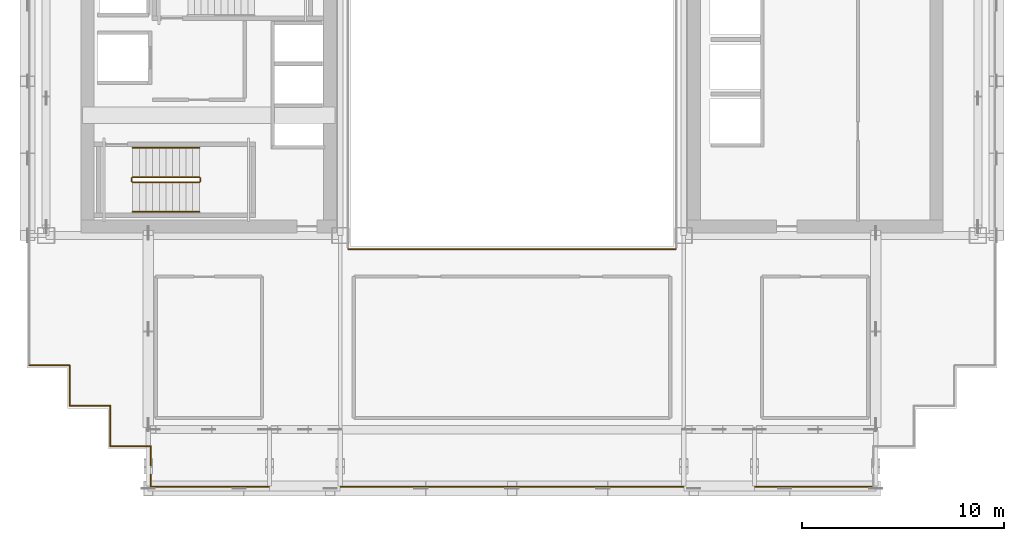
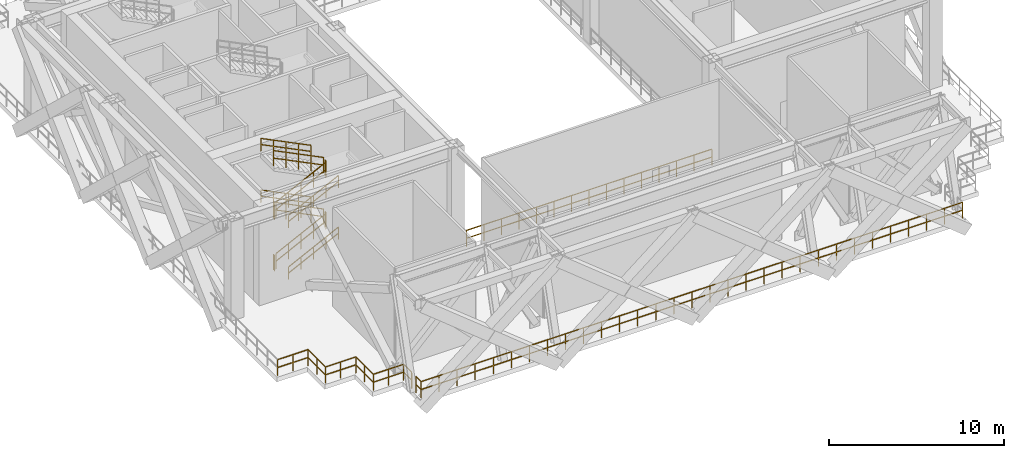
# One storey, part 10 of 14: 21 railings.
"""IFC4 building model written with IfcOpenShell, lengths in metres."""

import ifcopenshell
import ifcopenshell.guid

model = None  # the IFC model being written
_history = None  # IfcOwnerHistory: only IFC2X3 demands one
_inside = {}  # id of a spatial element -> (the spatial element, [elements in it])
_under = {}  # id of a project, library or spatial element -> (it, [spatial elements below it])
_declared = {}  # id of a project -> (the project, [libraries it declares])
_typed = {}  # id of a type object -> (the type object, [elements of that type])
_made_of = {}  # id of a material, layer set ... -> (it, [elements and type objects made of it])


def new_model(schema):
    """Start an empty IFC model of exactly this schema.

    Asked for "IFC4X3", IfcOpenShell would pick the latest addendum, in which some entities
    have other attributes; the version numbers below select the first issue.
    IFC2X3 requires an IfcOwnerHistory on every rooted entity: one is made here for all.
    """
    global model, _history
    if schema == "IFC4X3":
        model = ifcopenshell.file(schema_version=(4, 3, 0, 0))
    else:
        model = ifcopenshell.file(schema=schema)
    _inside.clear()
    _under.clear()
    _declared.clear()
    _typed.clear()
    _made_of.clear()
    _history = None
    if model.schema == "IFC2X3":
        org = make("IfcOrganization", Name="unknown")
        user = make(
            "IfcPersonAndOrganization",
            ThePerson=make("IfcPerson", FamilyName="unknown"),
            TheOrganization=org,
        )
        app = make(
            "IfcApplication",
            ApplicationDeveloper=org,
            Version="unknown",
            ApplicationFullName="unknown",
            ApplicationIdentifier="unknown",
        )
        _history = make(
            "IfcOwnerHistory",
            OwningUser=user,
            OwningApplication=app,
            ChangeAction="ADDED",
            CreationDate=0,
        )
    return model


def make(cls, **values):
    """One entity of the class cls with the attributes given. An attribute that is None is left unset."""
    return model.create_entity(
        cls, **{name: value for name, value in values.items() if value is not None}
    )


def rooted(cls, **values):
    """An entity with a GlobalId (a new one), such as an element, a storey or a relation."""
    return make(cls, GlobalId=ifcopenshell.guid.new(), OwnerHistory=_history, **values)


def si_unit(unit_type, name, prefix=None):
    """IfcSIUnit, for example si_unit("LENGTHUNIT", "METRE", prefix="MILLI")."""
    return make("IfcSIUnit", UnitType=unit_type, Prefix=prefix, Name=name)


def assignment(units):
    """IfcUnitAssignment: the units of a project."""
    return None if units is None else make("IfcUnitAssignment", Units=units)


def point(xyz):
    """IfcCartesianPoint."""
    return None if xyz is None else make("IfcCartesianPoint", Coordinates=xyz)


def direction(xyz):
    """IfcDirection."""
    return None if xyz is None else make("IfcDirection", DirectionRatios=xyz)


def frame(location, z_axis=None, x_axis=None):
    """IfcAxis2Placement3D, a coordinate frame: its origin and axes. An axis left out is left unset."""
    return make(
        "IfcAxis2Placement3D",
        Location=point(location),
        Axis=direction(z_axis),
        RefDirection=direction(x_axis),
    )


def frame_2d(location, x_axis=None):
    """IfcAxis2Placement2D, a coordinate frame in the plane: its origin and x axis."""
    return make(
        "IfcAxis2Placement2D", Location=point(location), RefDirection=direction(x_axis)
    )


def origin():
    """The frame at (0, 0, 0) with its axes left unset."""
    return frame((0.0, 0.0, 0.0))


def origin_2d():
    """The frame at (0, 0) in the plane with its x axis left unset."""
    return frame_2d((0.0, 0.0))


def place(relative_to, where):
    """IfcLocalPlacement: puts the frame where relative to a parent placement (None: the world)."""
    return make(
        "IfcLocalPlacement", PlacementRelTo=relative_to, RelativePlacement=where
    )


def context(
    kind, dimensions, precision=None, world=None, true_north=None, identifier=None
):
    """IfcGeometricRepresentationContext, for example the 3D "Model" context."""
    return make(
        "IfcGeometricRepresentationContext",
        ContextIdentifier=identifier,
        ContextType=kind,
        CoordinateSpaceDimension=dimensions,
        Precision=precision,
        WorldCoordinateSystem=world,
        TrueNorth=true_north,
    )


def subcontext(parent, identifier, kind, view, scale=None):
    """IfcGeometricRepresentationSubContext, for example "Body" below "Model"."""
    return make(
        "IfcGeometricRepresentationSubContext",
        ContextIdentifier=identifier,
        ContextType=kind,
        ParentContext=parent,
        TargetScale=scale,
        TargetView=view,
    )


def project(units=None, contexts=None):
    """IfcProject with its units and contexts."""
    return rooted(
        "IfcProject",
        Name="project",
        RepresentationContexts=contexts,
        UnitsInContext=assignment(units),
    )


def spatial(cls, under=None, at=None, **own):
    """A site, building, storey or space (cls), placed at a placement, below another one or the project."""
    s = rooted(cls, ObjectPlacement=at, **own)
    if under is not None:
        _under.setdefault(under.id(), (under, []))[1].append(s)
    return s


def profile(cls, at=None, kind="AREA", **sizes):
    """A parametric profile (cls). Its sizes go by their IFC names, for example OverallWidth=200.0."""
    return make(cls, ProfileType=kind, Position=at, **sizes)


def rectangle(**sizes):
    """IfcRectangleProfileDef."""
    return profile("IfcRectangleProfileDef", **sizes)


def extrude(swept, where, along, depth):
    """IfcExtrudedAreaSolid: the profile swept, set in the frame where, extruded along a direction by depth."""
    return make(
        "IfcExtrudedAreaSolid",
        SweptArea=swept,
        Position=where,
        ExtrudedDirection=direction(along),
        Depth=depth,
    )


def shape(context_of_items, identifier, shape_type, items):
    """IfcShapeRepresentation: the items that make up one representation, for example the "Body"."""
    return make(
        "IfcShapeRepresentation",
        ContextOfItems=context_of_items,
        RepresentationIdentifier=identifier,
        RepresentationType=shape_type,
        Items=items,
    )


def material(Name=None, Category=None):
    """IfcMaterial."""
    return make("IfcMaterial", Name=Name, Category=Category)


def made_of(thing, what):
    """Note that an element or type object is made of a material, layer set ...; save() writes the relation."""
    if what is not None:
        _made_of.setdefault(what.id(), (what, []))[1].append(thing)
    return thing


def type_object(cls, material=None, **own):
    """A type object (cls), such as IfcWallType, which elements share."""
    return made_of(rooted(cls, **own), material)


def element(
    cls,
    number,
    at=None,
    inside=None,
    cuts=None,
    type_object=None,
    material=None,
    context=None,
    identifier="Body",
    shape_type=None,
    held_by="IfcProductDefinitionShape",
    body=None,
    shapes=None,
    **own,
):
    """One element of the class cls, such as IfcWall. Its Tag is "e" and its number.

    at: its placement. inside: the storey or other place that contains it. cuts: it is an
    opening in that element (IfcRelVoidsElement). A single representation is given by context,
    identifier, shape_type and body (its items); several are given by shapes. held_by: the class
    of the entity that holds the representations. save() writes the other relations.
    """
    e = rooted(cls, Tag="e%d" % number, ObjectPlacement=at, **own)
    if body is not None:
        shapes = [shape(context, identifier, shape_type, body)]
    if shapes is not None:
        e.Representation = make(held_by, Representations=shapes)
    if inside is not None:
        _inside.setdefault(inside.id(), (inside, []))[1].append(e)
    if cuts is not None:
        rooted(
            "IfcRelVoidsElement", RelatingBuildingElement=cuts, RelatedOpeningElement=e
        )
    if type_object is not None:
        _typed.setdefault(type_object.id(), (type_object, []))[1].append(e)
    return made_of(e, material)


def aggregate(whole, parts):
    """IfcRelAggregates: a whole, such as a stair, and the parts it consists of."""
    return rooted("IfcRelAggregates", RelatingObject=whole, RelatedObjects=parts)


def save(model, path):
    """Write the relations noted so far, then the file.

    IfcRelAggregates (storeys below a building ...), IfcRelContainedInSpatialStructure (elements
    in a storey), IfcRelDefinesByType, IfcRelAssociatesMaterial and IfcRelDeclares: one each for
    every whole, place, type object, material and project.
    """
    for whole, parts in _under.values():
        aggregate(whole, parts)
    for where, things in _inside.values():
        rooted(
            "IfcRelContainedInSpatialStructure",
            RelatedElements=things,
            RelatingStructure=where,
        )
    for kind, things in _typed.values():
        rooted("IfcRelDefinesByType", RelatedObjects=things, RelatingType=kind)
    for what, things in _made_of.values():
        rooted("IfcRelAssociatesMaterial", RelatedObjects=things, RelatingMaterial=what)
    for by, libraries in _declared.values():
        rooted("IfcRelDeclares", RelatingContext=by, RelatedDefinitions=libraries)
    model.write(path)


model = new_model("IFC4")

# Units and contexts
model_context = context("Model", 3, precision=1e-05, world=origin(), true_north=direction((0.0, 1.0)))
body_context = subcontext(model_context, "Body", "Model", "MODEL_VIEW")
ifc_project = project(units=[si_unit("LENGTHUNIT", "METRE"), si_unit("AREAUNIT", "SQUARE_METRE"), si_unit("VOLUMEUNIT", "CUBIC_METRE"), si_unit("PLANEANGLEUNIT", "RADIAN"), si_unit("MASSUNIT", "GRAM", prefix="KILO")], contexts=[model_context])

# Site, building, storey
site_placement = place(None, origin())
site = spatial("IfcSite", under=ifc_project, at=site_placement, CompositionType="ELEMENT")
building_placement = place(site_placement, origin())
building = spatial("IfcBuilding", under=site, at=building_placement, Name="Ocotamira Hotel", CompositionType="ELEMENT")
storey_placement = place(building_placement, frame((0.0, 0.0, 151.199951171875)))
storey = spatial("IfcBuildingStorey", under=building, at=storey_placement, Name="L38", CompositionType="ELEMENT", Elevation=151.199951171875)

# Railings
ifc_material_1 = material(Name="Painted steel stair guardrail", Category="steel")
railing_type_1 = type_object("IfcRailingType", Name="RL-EDGE-1150", PredefinedType="GUARDRAIL", material=ifc_material_1)
railing_1_placement = place(storey_placement, frame((23.89990234375, 13.8798828125, 0.0)))
element("IfcRailing", 1, at=railing_1_placement, inside=storey, type_object=railing_type_1, Name="L38 Central Atrium Edge Guardrail S", PredefinedType="GUARDRAIL", context=body_context, shape_type="SweptSolid", body=[
    extrude(rectangle(XDim=0.048095703125, YDim=0.048095703125, at=origin_2d()), frame((0.0, 0.0, 1.1259765625), z_axis=(1.0, 0.0, 0.0), x_axis=(0.0, 1.0, 0.0)), (0.0, 0.0, 1.0), 16.2001953125),
    extrude(rectangle(XDim=0.048095703125, YDim=0.048095703125, at=origin_2d()), frame((0.0, 0.0, 0.574951171875), z_axis=(1.0, 0.0, 0.0), x_axis=(0.0, 1.0, 0.0)), (0.0, 0.0, 1.0), 16.2001953125),
    extrude(rectangle(XDim=0.0419921875, YDim=0.0419921875, at=origin_2d()), origin(), (0.0, 0.0, 1.0), 1.101806640625),
    extrude(rectangle(XDim=0.0419921875, YDim=0.0419921875, at=origin_2d()), frame((1.1572265625, 0.0, 0.0)), (0.0, 0.0, 1.0), 1.101806640625),
    extrude(rectangle(XDim=0.0419921875, YDim=0.0419921875, at=origin_2d()), frame((2.314208984375, 0.0, 0.0)), (0.0, 0.0, 1.0), 1.101806640625),
    extrude(rectangle(XDim=0.0419921875, YDim=0.0419921875, at=origin_2d()), frame((3.471435546875, 0.0, 0.0)), (0.0, 0.0, 1.0), 1.101806640625),
    extrude(rectangle(XDim=0.0419921875, YDim=0.0419921875, at=origin_2d()), frame((4.628662109375, 0.0, 0.0)), (0.0, 0.0, 1.0), 1.101806640625),
    extrude(rectangle(XDim=0.0419921875, YDim=0.0419921875, at=origin_2d()), frame((5.785888671875, 0.0, 0.0)), (0.0, 0.0, 1.0), 1.101806640625),
    extrude(rectangle(XDim=0.0419921875, YDim=0.0419921875, at=origin_2d()), frame((6.94287109375, 0.0, 0.0)), (0.0, 0.0, 1.0), 1.101806640625),
    extrude(rectangle(XDim=0.0419921875, YDim=0.0419921875, at=origin_2d()), frame((8.10009765625, 0.0, 0.0)), (0.0, 0.0, 1.0), 1.101806640625),
    extrude(rectangle(XDim=0.0419921875, YDim=0.0419921875, at=origin_2d()), frame((9.25732421875, 0.0, 0.0)), (0.0, 0.0, 1.0), 1.101806640625),
    extrude(rectangle(XDim=0.0419921875, YDim=0.0419921875, at=origin_2d()), frame((10.414306640625, 0.0, 0.0)), (0.0, 0.0, 1.0), 1.101806640625),
    extrude(rectangle(XDim=0.0419921875, YDim=0.0419921875, at=origin_2d()), frame((11.571533203125, 0.0, 0.0)), (0.0, 0.0, 1.0), 1.101806640625),
    extrude(rectangle(XDim=0.0419921875, YDim=0.0419921875, at=origin_2d()), frame((12.728759765625, 0.0, 0.0)), (0.0, 0.0, 1.0), 1.101806640625),
    extrude(rectangle(XDim=0.0419921875, YDim=0.0419921875, at=origin_2d()), frame((13.885986328125, 0.0, 0.0)), (0.0, 0.0, 1.0), 1.101806640625),
    extrude(rectangle(XDim=0.0419921875, YDim=0.0419921875, at=origin_2d()), frame((15.04296875, 0.0, 0.0)), (0.0, 0.0, 1.0), 1.101806640625),
    extrude(rectangle(XDim=0.0419921875, YDim=0.0419921875, at=origin_2d()), frame((16.2001953125, 0.0, 0.0)), (0.0, 0.0, 1.0), 1.101806640625),
])
ifc_material_2 = material(Name="Brushed stainless steel handrail", Category="steel")
railing_type_2 = type_object("IfcRailingType", Name="RL-HAND-900", PredefinedType="HANDRAIL", material=ifc_material_2)
railing_2_placement = place(storey_placement, frame((13.22998046875, 15.719970703125, 0.327392578125)))
element("IfcRailing", 2, at=railing_2_placement, inside=storey, type_object=railing_type_2, Name="L38 ST-1 stair handrail 1", PredefinedType="HANDRAIL", context=body_context, shape_type="SweptSolid", body=[
    extrude(rectangle(XDim=0.048095703125, YDim=0.048095703125, at=origin_2d()), frame((0.0, 0.0, 0.8759765625), z_axis=(0.895920123917, 0.0, 0.444215186098), x_axis=(0.0, 1.0, 0.0)), (0.0, 0.0, 1.0), 3.683349609375),
    extrude(rectangle(XDim=0.048095703125, YDim=0.048095703125, at=origin_2d()), frame((0.0, 0.0, 0.449951171875), z_axis=(0.895920123917, 0.0, 0.444215186098), x_axis=(0.0, 1.0, 0.0)), (0.0, 0.0, 1.0), 3.683349609375),
    extrude(rectangle(XDim=0.0419921875, YDim=0.0419921875, at=origin_2d()), origin(), (0.0, 0.0, 1.0), 0.851806640625),
    extrude(rectangle(XDim=0.0419921875, YDim=0.0419921875, at=origin_2d()), frame((0.824951171875, 0.0, 0.4091796875)), (0.0, 0.0, 1.0), 0.851806640625),
    extrude(rectangle(XDim=0.0419921875, YDim=0.0419921875, at=origin_2d()), frame((1.64990234375, 0.0, 0.818115234375)), (0.0, 0.0, 1.0), 0.851806640625),
    extrude(rectangle(XDim=0.0419921875, YDim=0.0419921875, at=origin_2d()), frame((2.47509765625, 0.0, 1.22705078125)), (0.0, 0.0, 1.0), 0.851806640625),
    extrude(rectangle(XDim=0.0419921875, YDim=0.0419921875, at=origin_2d()), frame((3.300048828125, 0.0, 1.63623046875)), (0.0, 0.0, 1.0), 0.851806640625),
])
railing_3_placement = place(storey_placement, frame((16.530029296875, 18.89990234375, 2.12744140625)))
element("IfcRailing", 3, at=railing_3_placement, inside=storey, type_object=railing_type_2, Name="L38 ST-1 stair handrail 2", PredefinedType="HANDRAIL", context=body_context, shape_type="SweptSolid", body=[
    extrude(rectangle(XDim=0.048095703125, YDim=0.048095703125, at=origin_2d()), frame((0.0, 0.0, 0.8759765625), z_axis=(-0.895920123917, 0.0, 0.444215186098), x_axis=(0.0, -1.0, 0.0)), (0.0, 0.0, 1.0), 3.683349609375),
    extrude(rectangle(XDim=0.048095703125, YDim=0.048095703125, at=origin_2d()), frame((0.0, 0.0, 0.449951171875), z_axis=(-0.895920123917, 0.0, 0.444215186098), x_axis=(0.0, -1.0, 0.0)), (0.0, 0.0, 1.0), 3.683349609375),
    extrude(rectangle(XDim=0.0419921875, YDim=0.0419921875, at=origin_2d()), origin(), (0.0, 0.0, 1.0), 0.851806640625),
    extrude(rectangle(XDim=0.0419921875, YDim=0.0419921875, at=origin_2d()), frame((-0.824951171875, 0.0, 0.4091796875)), (0.0, 0.0, 1.0), 0.851806640625),
    extrude(rectangle(XDim=0.0419921875, YDim=0.0419921875, at=origin_2d()), frame((-1.64990234375, 0.0, 0.818115234375)), (0.0, 0.0, 1.0), 0.851806640625),
    extrude(rectangle(XDim=0.0419921875, YDim=0.0419921875, at=origin_2d()), frame((-2.47509765625, 0.0, 1.22705078125)), (0.0, 0.0, 1.0), 0.851806640625),
    extrude(rectangle(XDim=0.0419921875, YDim=0.0419921875, at=origin_2d()), frame((-3.300048828125, 0.0, 1.63623046875)), (0.0, 0.0, 1.0), 0.851806640625),
])
railing_4_placement = place(storey_placement, frame((13.22998046875, 15.719970703125, 3.92724609375)))
element("IfcRailing", 4, at=railing_4_placement, inside=storey, type_object=railing_type_2, Name="L38 ST-1 stair handrail 3", PredefinedType="HANDRAIL", context=body_context, shape_type="SweptSolid", body=[
    extrude(rectangle(XDim=0.048095703125, YDim=0.048095703125, at=origin_2d()), frame((0.0, 0.0, 0.8759765625), z_axis=(0.895893744519, 0.0, 0.4442683857), x_axis=(0.0, 1.0, 0.0)), (0.0, 0.0, 1.0), 3.68359375),
    extrude(rectangle(XDim=0.048095703125, YDim=0.048095703125, at=origin_2d()), frame((0.0, 0.0, 0.449951171875), z_axis=(0.895893744519, 0.0, 0.4442683857), x_axis=(0.0, 1.0, 0.0)), (0.0, 0.0, 1.0), 3.68359375),
    extrude(rectangle(XDim=0.0419921875, YDim=0.0419921875, at=origin_2d()), origin(), (0.0, 0.0, 1.0), 0.851806640625),
    extrude(rectangle(XDim=0.0419921875, YDim=0.0419921875, at=origin_2d()), frame((0.824951171875, 0.0, 0.4091796875)), (0.0, 0.0, 1.0), 0.851806640625),
    extrude(rectangle(XDim=0.0419921875, YDim=0.0419921875, at=origin_2d()), frame((1.64990234375, 0.0, 0.818359375)), (0.0, 0.0, 1.0), 0.851806640625),
    extrude(rectangle(XDim=0.0419921875, YDim=0.0419921875, at=origin_2d()), frame((2.47509765625, 0.0, 1.227294921875)), (0.0, 0.0, 1.0), 0.851806640625),
    extrude(rectangle(XDim=0.0419921875, YDim=0.0419921875, at=origin_2d()), frame((3.300048828125, 0.0, 1.636474609375)), (0.0, 0.0, 1.0), 0.851806640625),
])
railing_5_placement = place(storey_placement, frame((16.530029296875, 18.89990234375, 5.727294921875)))
element("IfcRailing", 5, at=railing_5_placement, inside=storey, type_object=railing_type_2, Name="L38 ST-1 stair handrail 4", PredefinedType="HANDRAIL", context=body_context, shape_type="SweptSolid", body=[
    extrude(rectangle(XDim=0.048095703125, YDim=0.048095703125, at=origin_2d()), frame((0.0, 0.0, 0.8759765625), z_axis=(-0.895893744519, 0.0, 0.4442683857), x_axis=(0.0, -1.0, 0.0)), (0.0, 0.0, 1.0), 3.68359375),
    extrude(rectangle(XDim=0.048095703125, YDim=0.048095703125, at=origin_2d()), frame((0.0, 0.0, 0.449951171875), z_axis=(-0.895893744519, 0.0, 0.4442683857), x_axis=(0.0, -1.0, 0.0)), (0.0, 0.0, 1.0), 3.68359375),
    extrude(rectangle(XDim=0.0419921875, YDim=0.0419921875, at=origin_2d()), origin(), (0.0, 0.0, 1.0), 0.851806640625),
    extrude(rectangle(XDim=0.0419921875, YDim=0.0419921875, at=origin_2d()), frame((-0.824951171875, 0.0, 0.4091796875)), (0.0, 0.0, 1.0), 0.851806640625),
    extrude(rectangle(XDim=0.0419921875, YDim=0.0419921875, at=origin_2d()), frame((-1.64990234375, 0.0, 0.818359375)), (0.0, 0.0, 1.0), 0.851806640625),
    extrude(rectangle(XDim=0.0419921875, YDim=0.0419921875, at=origin_2d()), frame((-2.47509765625, 0.0, 1.227294921875)), (0.0, 0.0, 1.0), 0.851806640625),
    extrude(rectangle(XDim=0.0419921875, YDim=0.0419921875, at=origin_2d()), frame((-3.300048828125, 0.0, 1.636474609375)), (0.0, 0.0, 1.0), 0.851806640625),
])
ifc_material_3 = material(Name="Pale-metal stainless steel guardrail", Category="steel")
railing_type_3 = type_object("IfcRailingType", Name="RL-PERIM-1150", PredefinedType="GUARDRAIL", material=ifc_material_3)
railing_6_placement = place(storey_placement, frame((14.1201171875, 2.1201171875, 0.0)))
element("IfcRailing", 6, at=railing_6_placement, inside=storey, type_object=railing_type_3, Name="L38 Perimeter Guardrail WSLOT1-01", PredefinedType="GUARDRAIL", context=body_context, shape_type="SweptSolid", body=[
    extrude(rectangle(XDim=0.048095703125, YDim=0.048095703125, at=origin_2d()), frame((0.0, 0.0, 1.1259765625), z_axis=(0.0, 1.0, 0.0), x_axis=(-1.0, 0.0, 0.0)), (0.0, 0.0, 1.0), 0.59228515625),
    extrude(rectangle(XDim=0.048095703125, YDim=0.048095703125, at=origin_2d()), frame((0.0, 0.0, 0.574951171875), z_axis=(0.0, 1.0, 0.0), x_axis=(-1.0, 0.0, 0.0)), (0.0, 0.0, 1.0), 0.59228515625),
    extrude(rectangle(XDim=0.0419921875, YDim=0.0419921875, at=origin_2d()), origin(), (0.0, 0.0, 1.0), 1.101806640625),
    extrude(rectangle(XDim=0.0419921875, YDim=0.0419921875, at=origin_2d()), frame((0.0, 0.59228515625, 0.0)), (0.0, 0.0, 1.0), 1.101806640625),
])
railing_7_placement = place(storey_placement, frame((14.1201171875, 3.1875, 0.0)))
element("IfcRailing", 7, at=railing_7_placement, inside=storey, type_object=railing_type_3, Name="L38 Perimeter Guardrail WSLOT1-02", PredefinedType="GUARDRAIL", context=body_context, shape_type="SweptSolid", body=[
    extrude(rectangle(XDim=0.048095703125, YDim=0.048095703125, at=origin_2d()), frame((0.0, 0.0, 1.1259765625), z_axis=(0.0, 1.0, 0.0), x_axis=(-1.0, 0.0, 0.0)), (0.0, 0.0, 1.0), 0.9326171875),
    extrude(rectangle(XDim=0.048095703125, YDim=0.048095703125, at=origin_2d()), frame((0.0, 0.0, 0.574951171875), z_axis=(0.0, 1.0, 0.0), x_axis=(-1.0, 0.0, 0.0)), (0.0, 0.0, 1.0), 0.9326171875),
    extrude(rectangle(XDim=0.0419921875, YDim=0.0419921875, at=origin_2d()), origin(), (0.0, 0.0, 1.0), 1.101806640625),
    extrude(rectangle(XDim=0.0419921875, YDim=0.0419921875, at=origin_2d()), frame((0.0, 0.9326171875, 0.0)), (0.0, 0.0, 1.0), 1.101806640625),
])
railing_8_placement = place(storey_placement, frame((14.1201171875, 4.1201171875, 0.0)))
element("IfcRailing", 8, at=railing_8_placement, inside=storey, type_object=railing_type_3, Name="L38 Perimeter Guardrail WSLOT1-03", PredefinedType="GUARDRAIL", context=body_context, shape_type="SweptSolid", body=[
    extrude(rectangle(XDim=0.048095703125, YDim=0.048095703125, at=origin_2d()), frame((0.0, 0.0, 1.1259765625), z_axis=(-1.0, 0.0, 0.0), x_axis=(0.0, -1.0, 0.0)), (0.0, 0.0, 1.0), 2.0),
    extrude(rectangle(XDim=0.048095703125, YDim=0.048095703125, at=origin_2d()), frame((0.0, 0.0, 0.574951171875), z_axis=(-1.0, 0.0, 0.0), x_axis=(0.0, -1.0, 0.0)), (0.0, 0.0, 1.0), 2.0),
    extrude(rectangle(XDim=0.0419921875, YDim=0.0419921875, at=origin_2d()), origin(), (0.0, 0.0, 1.0), 1.101806640625),
    extrude(rectangle(XDim=0.0419921875, YDim=0.0419921875, at=origin_2d()), frame((-1.0, 0.0, 0.0)), (0.0, 0.0, 1.0), 1.101806640625),
    extrude(rectangle(XDim=0.0419921875, YDim=0.0419921875, at=origin_2d()), frame((-2.0, 0.0, 0.0)), (0.0, 0.0, 1.0), 1.101806640625),
])
railing_9_placement = place(storey_placement, frame((12.1201171875, 4.1201171875, 0.0)))
element("IfcRailing", 9, at=railing_9_placement, inside=storey, type_object=railing_type_3, Name="L38 Perimeter Guardrail WSLOT1-04", PredefinedType="GUARDRAIL", context=body_context, shape_type="SweptSolid", body=[
    extrude(rectangle(XDim=0.048095703125, YDim=0.048095703125, at=origin_2d()), frame((0.0, 0.0, 1.1259765625), z_axis=(0.0, 1.0, 0.0), x_axis=(-1.0, 0.0, 0.0)), (0.0, 0.0, 1.0), 2.0),
    extrude(rectangle(XDim=0.048095703125, YDim=0.048095703125, at=origin_2d()), frame((0.0, 0.0, 0.574951171875), z_axis=(0.0, 1.0, 0.0), x_axis=(-1.0, 0.0, 0.0)), (0.0, 0.0, 1.0), 2.0),
    extrude(rectangle(XDim=0.0419921875, YDim=0.0419921875, at=origin_2d()), origin(), (0.0, 0.0, 1.0), 1.101806640625),
    extrude(rectangle(XDim=0.0419921875, YDim=0.0419921875, at=origin_2d()), frame((0.0, 1.0, 0.0)), (0.0, 0.0, 1.0), 1.101806640625),
    extrude(rectangle(XDim=0.0419921875, YDim=0.0419921875, at=origin_2d()), frame((0.0, 2.0, 0.0)), (0.0, 0.0, 1.0), 1.101806640625),
])
railing_10_placement = place(storey_placement, frame((12.1201171875, 6.1201171875, 0.0)))
element("IfcRailing", 10, at=railing_10_placement, inside=storey, type_object=railing_type_3, Name="L38 Perimeter Guardrail WSLOT1-05", PredefinedType="GUARDRAIL", context=body_context, shape_type="SweptSolid", body=[
    extrude(rectangle(XDim=0.048095703125, YDim=0.048095703125, at=origin_2d()), frame((0.0, 0.0, 1.1259765625), z_axis=(-1.0, 0.0, 0.0), x_axis=(0.0, -1.0, 0.0)), (0.0, 0.0, 1.0), 2.0),
    extrude(rectangle(XDim=0.048095703125, YDim=0.048095703125, at=origin_2d()), frame((0.0, 0.0, 0.574951171875), z_axis=(-1.0, 0.0, 0.0), x_axis=(0.0, -1.0, 0.0)), (0.0, 0.0, 1.0), 2.0),
    extrude(rectangle(XDim=0.0419921875, YDim=0.0419921875, at=origin_2d()), origin(), (0.0, 0.0, 1.0), 1.101806640625),
    extrude(rectangle(XDim=0.0419921875, YDim=0.0419921875, at=origin_2d()), frame((-1.0, 0.0, 0.0)), (0.0, 0.0, 1.0), 1.101806640625),
    extrude(rectangle(XDim=0.0419921875, YDim=0.0419921875, at=origin_2d()), frame((-2.0, 0.0, 0.0)), (0.0, 0.0, 1.0), 1.101806640625),
])
railing_11_placement = place(storey_placement, frame((10.1201171875, 6.1201171875, 0.0)))
element("IfcRailing", 11, at=railing_11_placement, inside=storey, type_object=railing_type_3, Name="L38 Perimeter Guardrail WSLOT1-06", PredefinedType="GUARDRAIL", context=body_context, shape_type="SweptSolid", body=[
    extrude(rectangle(XDim=0.048095703125, YDim=0.048095703125, at=origin_2d()), frame((0.0, 0.0, 1.1259765625), z_axis=(0.0, 1.0, 0.0), x_axis=(-1.0, 0.0, 0.0)), (0.0, 0.0, 1.0), 2.0),
    extrude(rectangle(XDim=0.048095703125, YDim=0.048095703125, at=origin_2d()), frame((0.0, 0.0, 0.574951171875), z_axis=(0.0, 1.0, 0.0), x_axis=(-1.0, 0.0, 0.0)), (0.0, 0.0, 1.0), 2.0),
    extrude(rectangle(XDim=0.0419921875, YDim=0.0419921875, at=origin_2d()), origin(), (0.0, 0.0, 1.0), 1.101806640625),
    extrude(rectangle(XDim=0.0419921875, YDim=0.0419921875, at=origin_2d()), frame((0.0, 1.0, 0.0)), (0.0, 0.0, 1.0), 1.101806640625),
    extrude(rectangle(XDim=0.0419921875, YDim=0.0419921875, at=origin_2d()), frame((0.0, 2.0, 0.0)), (0.0, 0.0, 1.0), 1.101806640625),
])
railing_12_placement = place(storey_placement, frame((10.1201171875, 8.1201171875, 0.0)))
element("IfcRailing", 12, at=railing_12_placement, inside=storey, type_object=railing_type_3, Name="L38 Perimeter Guardrail WSLOT1-07", PredefinedType="GUARDRAIL", context=body_context, shape_type="SweptSolid", body=[
    extrude(rectangle(XDim=0.048095703125, YDim=0.048095703125, at=origin_2d()), frame((0.0, 0.0, 1.1259765625), z_axis=(-1.0, 0.0, 0.0), x_axis=(0.0, -1.0, 0.0)), (0.0, 0.0, 1.0), 2.0),
    extrude(rectangle(XDim=0.048095703125, YDim=0.048095703125, at=origin_2d()), frame((0.0, 0.0, 0.574951171875), z_axis=(-1.0, 0.0, 0.0), x_axis=(0.0, -1.0, 0.0)), (0.0, 0.0, 1.0), 2.0),
    extrude(rectangle(XDim=0.0419921875, YDim=0.0419921875, at=origin_2d()), origin(), (0.0, 0.0, 1.0), 1.101806640625),
    extrude(rectangle(XDim=0.0419921875, YDim=0.0419921875, at=origin_2d()), frame((-1.0, 0.0, 0.0)), (0.0, 0.0, 1.0), 1.101806640625),
    extrude(rectangle(XDim=0.0419921875, YDim=0.0419921875, at=origin_2d()), frame((-2.0, 0.0, 0.0)), (0.0, 0.0, 1.0), 1.101806640625),
])
railing_13_placement = place(storey_placement, frame((49.8798828125, 2.1201171875, 0.0)))
element("IfcRailing", 13, at=railing_13_placement, inside=storey, type_object=railing_type_3, Name="L38 Perimeter Guardrail WSLOT1-32", PredefinedType="GUARDRAIL", context=body_context, shape_type="SweptSolid", body=[
    extrude(rectangle(XDim=0.048095703125, YDim=0.048095703125, at=origin_2d()), frame((0.0, 0.0, 1.1259765625), z_axis=(-1.0, 0.0, 0.0), x_axis=(0.0, -1.0, 0.0)), (0.0, 0.0, 1.0), 35.759765625),
    extrude(rectangle(XDim=0.048095703125, YDim=0.048095703125, at=origin_2d()), frame((0.0, 0.0, 0.574951171875), z_axis=(-1.0, 0.0, 0.0), x_axis=(0.0, -1.0, 0.0)), (0.0, 0.0, 1.0), 35.759765625),
    extrude(rectangle(XDim=0.0419921875, YDim=0.0419921875, at=origin_2d()), origin(), (0.0, 0.0, 1.0), 1.101806640625),
    extrude(rectangle(XDim=0.0419921875, YDim=0.0419921875, at=origin_2d()), frame((-1.19189453125, 0.0, 0.0)), (0.0, 0.0, 1.0), 1.101806640625),
    extrude(rectangle(XDim=0.0419921875, YDim=0.0419921875, at=origin_2d()), frame((-2.384033203125, 0.0, 0.0)), (0.0, 0.0, 1.0), 1.101806640625),
    extrude(rectangle(XDim=0.0419921875, YDim=0.0419921875, at=origin_2d()), frame((-3.575927734375, 0.0, 0.0)), (0.0, 0.0, 1.0), 1.101806640625),
    extrude(rectangle(XDim=0.0419921875, YDim=0.0419921875, at=origin_2d()), frame((-4.76806640625, 0.0, 0.0)), (0.0, 0.0, 1.0), 1.101806640625),
    extrude(rectangle(XDim=0.0419921875, YDim=0.0419921875, at=origin_2d()), frame((-5.9599609375, 0.0, 0.0)), (0.0, 0.0, 1.0), 1.101806640625),
    extrude(rectangle(XDim=0.0419921875, YDim=0.0419921875, at=origin_2d()), frame((-7.15185546875, 0.0, 0.0)), (0.0, 0.0, 1.0), 1.101806640625),
    extrude(rectangle(XDim=0.0419921875, YDim=0.0419921875, at=origin_2d()), frame((-8.343994140625, 0.0, 0.0)), (0.0, 0.0, 1.0), 1.101806640625),
    extrude(rectangle(XDim=0.0419921875, YDim=0.0419921875, at=origin_2d()), frame((-9.535888671875, 0.0, 0.0)), (0.0, 0.0, 1.0), 1.101806640625),
    extrude(rectangle(XDim=0.0419921875, YDim=0.0419921875, at=origin_2d()), frame((-10.72802734375, 0.0, 0.0)), (0.0, 0.0, 1.0), 1.101806640625),
    extrude(rectangle(XDim=0.0419921875, YDim=0.0419921875, at=origin_2d()), frame((-11.919921875, 0.0, 0.0)), (0.0, 0.0, 1.0), 1.101806640625),
    extrude(rectangle(XDim=0.0419921875, YDim=0.0419921875, at=origin_2d()), frame((-13.11181640625, 0.0, 0.0)), (0.0, 0.0, 1.0), 1.101806640625),
    extrude(rectangle(XDim=0.0419921875, YDim=0.0419921875, at=origin_2d()), frame((-14.303955078125, 0.0, 0.0)), (0.0, 0.0, 1.0), 1.101806640625),
    extrude(rectangle(XDim=0.0419921875, YDim=0.0419921875, at=origin_2d()), frame((-15.495849609375, 0.0, 0.0)), (0.0, 0.0, 1.0), 1.101806640625),
    extrude(rectangle(XDim=0.0419921875, YDim=0.0419921875, at=origin_2d()), frame((-16.68798828125, 0.0, 0.0)), (0.0, 0.0, 1.0), 1.101806640625),
    extrude(rectangle(XDim=0.0419921875, YDim=0.0419921875, at=origin_2d()), frame((-17.8798828125, 0.0, 0.0)), (0.0, 0.0, 1.0), 1.101806640625),
    extrude(rectangle(XDim=0.0419921875, YDim=0.0419921875, at=origin_2d()), frame((-19.07177734375, 0.0, 0.0)), (0.0, 0.0, 1.0), 1.101806640625),
    extrude(rectangle(XDim=0.0419921875, YDim=0.0419921875, at=origin_2d()), frame((-20.263916015625, 0.0, 0.0)), (0.0, 0.0, 1.0), 1.101806640625),
    extrude(rectangle(XDim=0.0419921875, YDim=0.0419921875, at=origin_2d()), frame((-21.455810546875, 0.0, 0.0)), (0.0, 0.0, 1.0), 1.101806640625),
    extrude(rectangle(XDim=0.0419921875, YDim=0.0419921875, at=origin_2d()), frame((-22.64794921875, 0.0, 0.0)), (0.0, 0.0, 1.0), 1.101806640625),
    extrude(rectangle(XDim=0.0419921875, YDim=0.0419921875, at=origin_2d()), frame((-23.83984375, 0.0, 0.0)), (0.0, 0.0, 1.0), 1.101806640625),
    extrude(rectangle(XDim=0.0419921875, YDim=0.0419921875, at=origin_2d()), frame((-25.03173828125, 0.0, 0.0)), (0.0, 0.0, 1.0), 1.101806640625),
    extrude(rectangle(XDim=0.0419921875, YDim=0.0419921875, at=origin_2d()), frame((-26.223876953125, 0.0, 0.0)), (0.0, 0.0, 1.0), 1.101806640625),
    extrude(rectangle(XDim=0.0419921875, YDim=0.0419921875, at=origin_2d()), frame((-27.415771484375, 0.0, 0.0)), (0.0, 0.0, 1.0), 1.101806640625),
    extrude(rectangle(XDim=0.0419921875, YDim=0.0419921875, at=origin_2d()), frame((-28.60791015625, 0.0, 0.0)), (0.0, 0.0, 1.0), 1.101806640625),
    extrude(rectangle(XDim=0.0419921875, YDim=0.0419921875, at=origin_2d()), frame((-29.7998046875, 0.0, 0.0)), (0.0, 0.0, 1.0), 1.101806640625),
    extrude(rectangle(XDim=0.0419921875, YDim=0.0419921875, at=origin_2d()), frame((-30.99169921875, 0.0, 0.0)), (0.0, 0.0, 1.0), 1.101806640625),
    extrude(rectangle(XDim=0.0419921875, YDim=0.0419921875, at=origin_2d()), frame((-32.183837890625, 0.0, 0.0)), (0.0, 0.0, 1.0), 1.101806640625),
    extrude(rectangle(XDim=0.0419921875, YDim=0.0419921875, at=origin_2d()), frame((-33.375732421875, 0.0, 0.0)), (0.0, 0.0, 1.0), 1.101806640625),
    extrude(rectangle(XDim=0.0419921875, YDim=0.0419921875, at=origin_2d()), frame((-34.56787109375, 0.0, 0.0)), (0.0, 0.0, 1.0), 1.101806640625),
    extrude(rectangle(XDim=0.0419921875, YDim=0.0419921875, at=origin_2d()), frame((-35.759765625, 0.0, 0.0)), (0.0, 0.0, 1.0), 1.101806640625),
])
railing_type_4 = type_object("IfcRailingType", Name="RL-STAIR-1100", PredefinedType="GUARDRAIL", material=ifc_material_1)
railing_14_placement = place(storey_placement, frame((13.22998046875, 17.179931640625, 0.16357421875)))
element("IfcRailing", 14, at=railing_14_placement, inside=storey, type_object=railing_type_4, Name="L38 ST-1 stair guard 1", PredefinedType="GUARDRAIL", context=body_context, shape_type="SweptSolid", body=[
    extrude(rectangle(XDim=0.048095703125, YDim=0.048095703125, at=origin_2d()), frame((0.0, 0.0, 1.076171875), z_axis=(0.895893744519, 0.0, 0.4442683857), x_axis=(0.0, 1.0, 0.0)), (0.0, 0.0, 1.0), 3.68359375),
    extrude(rectangle(XDim=0.048095703125, YDim=0.048095703125, at=origin_2d()), frame((0.0, 0.0, 0.550048828125), z_axis=(0.895893744519, 0.0, 0.4442683857), x_axis=(0.0, 1.0, 0.0)), (0.0, 0.0, 1.0), 3.68359375),
    extrude(rectangle(XDim=0.0419921875, YDim=0.0419921875, at=origin_2d()), origin(), (0.0, 0.0, 1.0), 1.052001953125),
    extrude(rectangle(XDim=0.0419921875, YDim=0.0419921875, at=origin_2d()), frame((0.824951171875, 0.0, 0.4091796875)), (0.0, 0.0, 1.0), 1.052001953125),
    extrude(rectangle(XDim=0.0419921875, YDim=0.0419921875, at=origin_2d()), frame((1.64990234375, 0.0, 0.818359375)), (0.0, 0.0, 1.0), 1.052001953125),
    extrude(rectangle(XDim=0.0419921875, YDim=0.0419921875, at=origin_2d()), frame((2.47509765625, 0.0, 1.227294921875)), (0.0, 0.0, 1.0), 1.052001953125),
    extrude(rectangle(XDim=0.0419921875, YDim=0.0419921875, at=origin_2d()), frame((3.300048828125, 0.0, 1.636474609375)), (0.0, 0.0, 1.0), 1.052001953125),
])
railing_15_placement = place(storey_placement, frame((16.580078125, 17.22998046875, 1.800048828125)))
element("IfcRailing", 15, at=railing_15_placement, inside=storey, type_object=railing_type_4, Name="L38 ST-1 stair guard 2", PredefinedType="GUARDRAIL", context=body_context, shape_type="SweptSolid", body=[
    extrude(rectangle(XDim=0.048095703125, YDim=0.048095703125, at=origin_2d()), frame((0.0, 0.0, 1.076171875), z_axis=(0.0, 1.0, 0.0), x_axis=(-1.0, 0.0, 0.0)), (0.0, 0.0, 1.0), 0.159912109375),
    extrude(rectangle(XDim=0.048095703125, YDim=0.048095703125, at=origin_2d()), frame((0.0, 0.0, 0.550048828125), z_axis=(0.0, 1.0, 0.0), x_axis=(-1.0, 0.0, 0.0)), (0.0, 0.0, 1.0), 0.159912109375),
    extrude(rectangle(XDim=0.0419921875, YDim=0.0419921875, at=origin_2d()), origin(), (0.0, 0.0, 1.0), 1.052001953125),
    extrude(rectangle(XDim=0.0419921875, YDim=0.0419921875, at=origin_2d()), frame((0.0, 0.159912109375, 0.0)), (0.0, 0.0, 1.0), 1.052001953125),
])
railing_16_placement = place(storey_placement, frame((16.530029296875, 17.43994140625, 1.963623046875)))
element("IfcRailing", 16, at=railing_16_placement, inside=storey, type_object=railing_type_4, Name="L38 ST-1 stair guard 3", PredefinedType="GUARDRAIL", context=body_context, shape_type="SweptSolid", body=[
    extrude(rectangle(XDim=0.048095703125, YDim=0.048095703125, at=origin_2d()), frame((0.0, 0.0, 1.076171875), z_axis=(-0.895893744519, 0.0, 0.4442683857), x_axis=(0.0, -1.0, 0.0)), (0.0, 0.0, 1.0), 3.68359375),
    extrude(rectangle(XDim=0.048095703125, YDim=0.048095703125, at=origin_2d()), frame((0.0, 0.0, 0.550048828125), z_axis=(-0.895893744519, 0.0, 0.4442683857), x_axis=(0.0, -1.0, 0.0)), (0.0, 0.0, 1.0), 3.68359375),
    extrude(rectangle(XDim=0.0419921875, YDim=0.0419921875, at=origin_2d()), origin(), (0.0, 0.0, 1.0), 1.052001953125),
    extrude(rectangle(XDim=0.0419921875, YDim=0.0419921875, at=origin_2d()), frame((-0.824951171875, 0.0, 0.4091796875)), (0.0, 0.0, 1.0), 1.052001953125),
    extrude(rectangle(XDim=0.0419921875, YDim=0.0419921875, at=origin_2d()), frame((-1.64990234375, 0.0, 0.818359375)), (0.0, 0.0, 1.0), 1.052001953125),
    extrude(rectangle(XDim=0.0419921875, YDim=0.0419921875, at=origin_2d()), frame((-2.47509765625, 0.0, 1.227294921875)), (0.0, 0.0, 1.0), 1.052001953125),
    extrude(rectangle(XDim=0.0419921875, YDim=0.0419921875, at=origin_2d()), frame((-3.300048828125, 0.0, 1.636474609375)), (0.0, 0.0, 1.0), 1.052001953125),
])
railing_17_placement = place(storey_placement, frame((13.179931640625, 17.22998046875, 3.60009765625)))
element("IfcRailing", 17, at=railing_17_placement, inside=storey, type_object=railing_type_4, Name="L38 ST-1 stair guard 4", PredefinedType="GUARDRAIL", context=body_context, shape_type="SweptSolid", body=[
    extrude(rectangle(XDim=0.048095703125, YDim=0.048095703125, at=origin_2d()), frame((0.0, 0.0, 1.076171875), z_axis=(0.0, 1.0, 0.0), x_axis=(-1.0, 0.0, 0.0)), (0.0, 0.0, 1.0), 0.159912109375),
    extrude(rectangle(XDim=0.048095703125, YDim=0.048095703125, at=origin_2d()), frame((0.0, 0.0, 0.550048828125), z_axis=(0.0, 1.0, 0.0), x_axis=(-1.0, 0.0, 0.0)), (0.0, 0.0, 1.0), 0.159912109375),
    extrude(rectangle(XDim=0.0419921875, YDim=0.0419921875, at=origin_2d()), origin(), (0.0, 0.0, 1.0), 1.052001953125),
    extrude(rectangle(XDim=0.0419921875, YDim=0.0419921875, at=origin_2d()), frame((0.0, 0.159912109375, 0.0)), (0.0, 0.0, 1.0), 1.052001953125),
])
railing_18_placement = place(storey_placement, frame((13.22998046875, 17.179931640625, 3.763671875)))
element("IfcRailing", 18, at=railing_18_placement, inside=storey, type_object=railing_type_4, Name="L38 ST-1 stair guard 5", PredefinedType="GUARDRAIL", context=body_context, shape_type="SweptSolid", body=[
    extrude(rectangle(XDim=0.048095703125, YDim=0.048095703125, at=origin_2d()), frame((0.0, 0.0, 1.076171875), z_axis=(0.895893744519, 0.0, 0.4442683857), x_axis=(0.0, 1.0, 0.0)), (0.0, 0.0, 1.0), 3.68359375),
    extrude(rectangle(XDim=0.048095703125, YDim=0.048095703125, at=origin_2d()), frame((0.0, 0.0, 0.550048828125), z_axis=(0.895893744519, 0.0, 0.4442683857), x_axis=(0.0, 1.0, 0.0)), (0.0, 0.0, 1.0), 3.68359375),
    extrude(rectangle(XDim=0.0419921875, YDim=0.0419921875, at=origin_2d()), origin(), (0.0, 0.0, 1.0), 1.052001953125),
    extrude(rectangle(XDim=0.0419921875, YDim=0.0419921875, at=origin_2d()), frame((0.824951171875, 0.0, 0.4091796875)), (0.0, 0.0, 1.0), 1.052001953125),
    extrude(rectangle(XDim=0.0419921875, YDim=0.0419921875, at=origin_2d()), frame((1.64990234375, 0.0, 0.818359375)), (0.0, 0.0, 1.0), 1.052001953125),
    extrude(rectangle(XDim=0.0419921875, YDim=0.0419921875, at=origin_2d()), frame((2.47509765625, 0.0, 1.227294921875)), (0.0, 0.0, 1.0), 1.052001953125),
    extrude(rectangle(XDim=0.0419921875, YDim=0.0419921875, at=origin_2d()), frame((3.300048828125, 0.0, 1.636474609375)), (0.0, 0.0, 1.0), 1.052001953125),
])
railing_19_placement = place(storey_placement, frame((16.580078125, 17.22998046875, 5.400146484375)))
element("IfcRailing", 19, at=railing_19_placement, inside=storey, type_object=railing_type_4, Name="L38 ST-1 stair guard 6", PredefinedType="GUARDRAIL", context=body_context, shape_type="SweptSolid", body=[
    extrude(rectangle(XDim=0.048095703125, YDim=0.048095703125, at=origin_2d()), frame((0.0, 0.0, 1.076171875), z_axis=(0.0, 1.0, 0.0), x_axis=(-1.0, 0.0, 0.0)), (0.0, 0.0, 1.0), 0.159912109375),
    extrude(rectangle(XDim=0.048095703125, YDim=0.048095703125, at=origin_2d()), frame((0.0, 0.0, 0.550048828125), z_axis=(0.0, 1.0, 0.0), x_axis=(-1.0, 0.0, 0.0)), (0.0, 0.0, 1.0), 0.159912109375),
    extrude(rectangle(XDim=0.0419921875, YDim=0.0419921875, at=origin_2d()), origin(), (0.0, 0.0, 1.0), 1.052001953125),
    extrude(rectangle(XDim=0.0419921875, YDim=0.0419921875, at=origin_2d()), frame((0.0, 0.159912109375, 0.0)), (0.0, 0.0, 1.0), 1.052001953125),
])
railing_20_placement = place(storey_placement, frame((16.530029296875, 17.43994140625, 5.563720703125)))
element("IfcRailing", 20, at=railing_20_placement, inside=storey, type_object=railing_type_4, Name="L38 ST-1 stair guard 7", PredefinedType="GUARDRAIL", context=body_context, shape_type="SweptSolid", body=[
    extrude(rectangle(XDim=0.048095703125, YDim=0.048095703125, at=origin_2d()), frame((0.0, 0.0, 1.076171875), z_axis=(-0.895920123917, 0.0, 0.444215186098), x_axis=(0.0, -1.0, 0.0)), (0.0, 0.0, 1.0), 3.683349609375),
    extrude(rectangle(XDim=0.048095703125, YDim=0.048095703125, at=origin_2d()), frame((0.0, 0.0, 0.550048828125), z_axis=(-0.895920123917, 0.0, 0.444215186098), x_axis=(0.0, -1.0, 0.0)), (0.0, 0.0, 1.0), 3.683349609375),
    extrude(rectangle(XDim=0.0419921875, YDim=0.0419921875, at=origin_2d()), origin(), (0.0, 0.0, 1.0), 1.052001953125),
    extrude(rectangle(XDim=0.0419921875, YDim=0.0419921875, at=origin_2d()), frame((-0.824951171875, 0.0, 0.4091796875)), (0.0, 0.0, 1.0), 1.052001953125),
    extrude(rectangle(XDim=0.0419921875, YDim=0.0419921875, at=origin_2d()), frame((-1.64990234375, 0.0, 0.818115234375)), (0.0, 0.0, 1.0), 1.052001953125),
    extrude(rectangle(XDim=0.0419921875, YDim=0.0419921875, at=origin_2d()), frame((-2.47509765625, 0.0, 1.22705078125)), (0.0, 0.0, 1.0), 1.052001953125),
    extrude(rectangle(XDim=0.0419921875, YDim=0.0419921875, at=origin_2d()), frame((-3.300048828125, 0.0, 1.63623046875)), (0.0, 0.0, 1.0), 1.052001953125),
])
railing_21_placement = place(storey_placement, frame((13.179931640625, 17.22998046875, 0.0)))
element("IfcRailing", 21, at=railing_21_placement, inside=storey, type_object=railing_type_4, Name="L38 ST-1 stair guard 8", PredefinedType="GUARDRAIL", context=body_context, shape_type="SweptSolid", body=[
    extrude(rectangle(XDim=0.048095703125, YDim=0.048095703125, at=origin_2d()), frame((0.0, 0.0, 1.076171875), z_axis=(0.0, 1.0, 0.0), x_axis=(-1.0, 0.0, 0.0)), (0.0, 0.0, 1.0), 0.159912109375),
    extrude(rectangle(XDim=0.048095703125, YDim=0.048095703125, at=origin_2d()), frame((0.0, 0.0, 0.550048828125), z_axis=(0.0, 1.0, 0.0), x_axis=(-1.0, 0.0, 0.0)), (0.0, 0.0, 1.0), 0.159912109375),
    extrude(rectangle(XDim=0.0419921875, YDim=0.0419921875, at=origin_2d()), origin(), (0.0, 0.0, 1.0), 1.052001953125),
    extrude(rectangle(XDim=0.0419921875, YDim=0.0419921875, at=origin_2d()), frame((0.0, 0.159912109375, 0.0)), (0.0, 0.0, 1.0), 1.052001953125),
])

save(model, "model.ifc")
